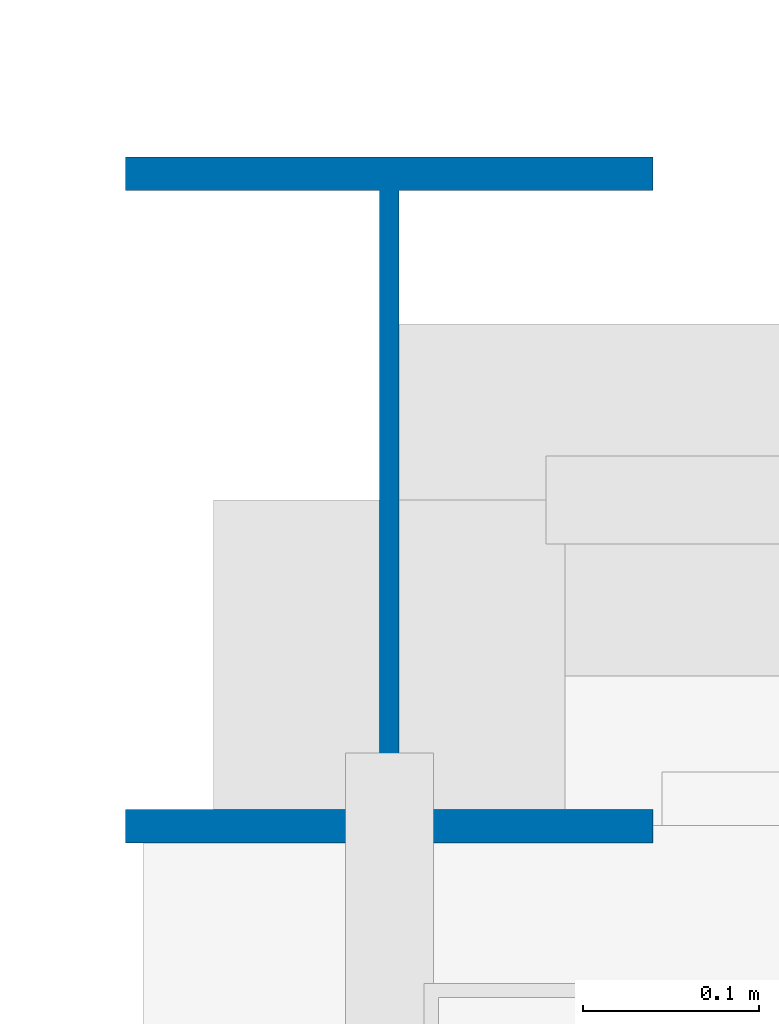
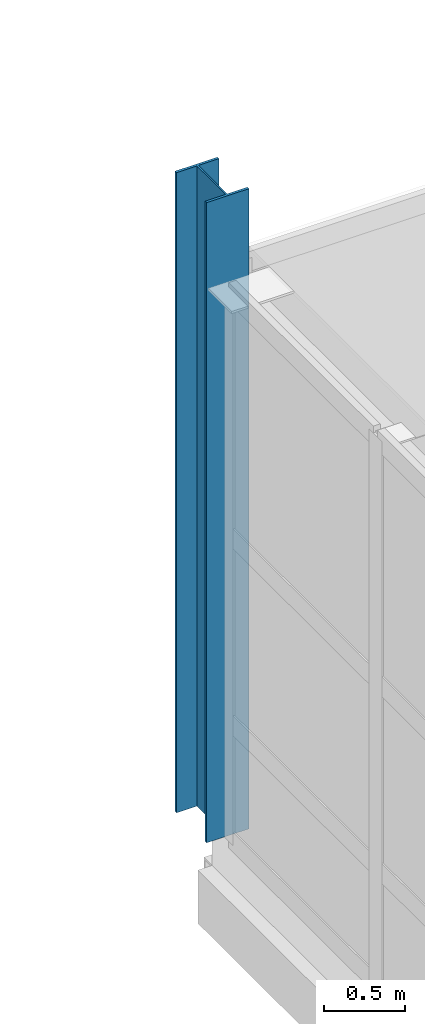
# One storey, part 17 of 131: 1 column.
"""IFC4 building model written with IfcOpenShell, lengths in metres."""

from ifc_helpers import new_model, si_unit, direction, frame, origin, origin_2d, place, context, subcontext, project, spatial, i_section, extrude, material, material_profile, profile_set, type_object, element, save


model = new_model("IFC4")

# Units and contexts
model_context = context("Model", 3, precision=1e-05, world=origin(), true_north=direction((0.0, 1.0)))
body_context = subcontext(model_context, "Body", "Model", "MODEL_VIEW")
ifc_project = project(units=[si_unit("LENGTHUNIT", "METRE"), si_unit("AREAUNIT", "SQUARE_METRE"), si_unit("VOLUMEUNIT", "CUBIC_METRE"), si_unit("PLANEANGLEUNIT", "RADIAN"), si_unit("MASSUNIT", "GRAM", prefix="KILO")], contexts=[model_context])

# Site, building, storey
site_placement = place(None, origin())
site = spatial("IfcSite", under=ifc_project, at=site_placement, CompositionType="ELEMENT")
building_placement = place(site_placement, origin())
building = spatial("IfcBuilding", under=site, at=building_placement, Name="Celorna Specialist Clinic", CompositionType="ELEMENT")
storey_placement = place(building_placement, origin())
storey = spatial("IfcBuildingStorey", under=building, at=storey_placement, Name="L00", CompositionType="ELEMENT", Elevation=0.0)

# Column
ifc_material = material(Name="Steel S355", Category="steel")
ifc_material_profile = material_profile(ifc_material, i_section(OverallWidth=0.300048828125, OverallDepth=0.389892578125, WebThickness=0.010986328125, FlangeThickness=0.01904296875, at=origin_2d()), Name="HE 400 A")
ifc_profile_set = profile_set([ifc_material_profile], Name="Steel S355")
column_type = type_object("IfcColumnType", Name="CT-18", PredefinedType="COLUMN", material=ifc_profile_set)
column_placement = place(storey_placement, frame((124.800048828125, 83.39990234375, 0.0), z_axis=(0.0, 0.0, 1.0), x_axis=(1.0, 0.0, 0.0)))
element("IfcColumn", 1, at=column_placement, inside=storey, type_object=column_type, Name="Column CT-18 L00 X17/YQ", PredefinedType="COLUMN", context=body_context, shape_type="SweptSolid", body=[
    extrude(i_section(OverallWidth=0.300048828125, OverallDepth=0.389892578125, WebThickness=0.010986328125, FlangeThickness=0.01904296875, at=origin_2d()), origin(), (0.0, 0.0, 1.0), 4.800048828125),
])

save(model, "model.ifc")
